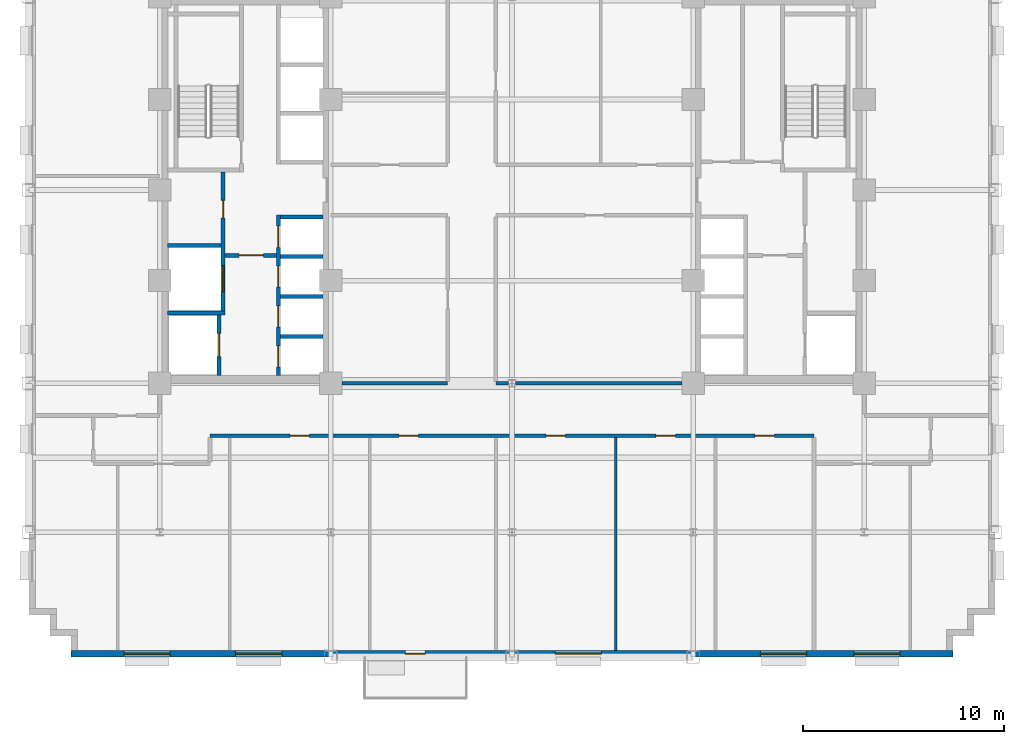
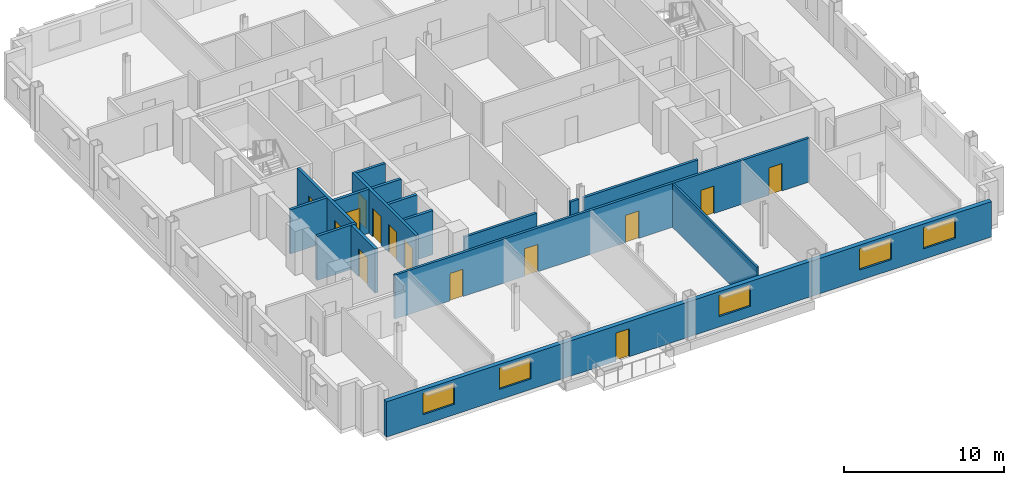
# One storey, part 6 of 14: 16 walls, 14 doors, 5 windows, 19 openings.
"""IFC4 building model written with IfcOpenShell, lengths in metres."""

from ifc_helpers import new_model, si_unit, direction, frame, frame_2d, origin, place, context, subcontext, project, spatial, rectangle, extrude, source, transform, mapped, material, layer, layer_set, type_object, type_shapes, element, fill, save


model = new_model("IFC4")

# Units and contexts
model_context = context("Model", 3, precision=1e-05, world=origin(), true_north=direction((0.0, 1.0)))
body_context = subcontext(model_context, "Body", "Model", "MODEL_VIEW")
ifc_project = project(units=[si_unit("LENGTHUNIT", "METRE"), si_unit("AREAUNIT", "SQUARE_METRE"), si_unit("VOLUMEUNIT", "CUBIC_METRE"), si_unit("PLANEANGLEUNIT", "RADIAN"), si_unit("MASSUNIT", "GRAM", prefix="KILO")], contexts=[model_context])

# Site, building, storey
site_placement = place(None, origin())
site = spatial("IfcSite", under=ifc_project, at=site_placement, CompositionType="ELEMENT")
building_placement = place(site_placement, origin())
building = spatial("IfcBuilding", under=site, at=building_placement, Name="Nuvemarco Arch Tower", CompositionType="ELEMENT")
storey_placement = place(building_placement, frame((0.0, 0.0, 105.60009765625)))
storey = spatial("IfcBuildingStorey", under=building, at=storey_placement, Name="L27", CompositionType="ELEMENT", Elevation=105.60009765625)

# Wall, openings, door, windows
ifc_material_1 = material(Name="Precast concrete C45/55", Category="concrete")
ifc_layer_1 = layer(ifc_material_1, 0.320068359375, Name="EW-MID-320")
ifc_layer_set_1 = layer_set([ifc_layer_1], Name="Precast concrete C45/55")
wall_type_1 = type_object("IfcWallType", Name="EW-MID-320", PredefinedType="STANDARD", material=ifc_layer_set_1)
wall_1_placement = place(storey_placement, frame((-21.89990234375, -23.0400390625, 0.0), z_axis=(0.0, 0.0, 1.0), x_axis=(1.0, 0.0, 0.0)))
wall_1 = element("IfcWall", 1, at=wall_1_placement, inside=storey, type_object=wall_type_1, Name="L27 exterior precast facade wall 1", PredefinedType="STANDARD", context=body_context, shape_type="SweptSolid", body=[
    extrude(rectangle(XDim=43.7998046875, YDim=0.320068359375, at=frame_2d((21.89990234375, 0.0))), origin(), (0.0, 0.0, 1.0), 2.704833984375),
])
opening_1_placement = place(wall_1_placement, frame((17.580078125, 0.0, 0.0), z_axis=(0.0, 0.0, 1.0), x_axis=(-1.0, 0.0, 0.0)))
opening_1 = element("IfcOpeningElement", 2, at=opening_1_placement, cuts=wall_1, Name="Opening ED-6", PredefinedType="OPENING", context=body_context, shape_type="SweptSolid", body=[
    extrude(rectangle(XDim=0.97998046875, YDim=2.14990234375, at=frame_2d((0.489990234375, 1.074951171875))), frame((0.0, 0.169921875, 0.0), z_axis=(0.0, -1.0, 0.0), x_axis=(1.0, 0.0, 0.0)), (0.0, 0.0, 1.0), 0.340087890625),
])
opening_2_placement = place(wall_1_placement, frame((2.622314453125, 0.0, 0.800048828125)))
opening_2 = element("IfcOpeningElement", 3, at=opening_2_placement, cuts=wall_1, Name="Opening WN-10", PredefinedType="OPENING", context=body_context, shape_type="SweptSolid", body=[
    extrude(rectangle(XDim=2.300048828125, YDim=1.6201171875, at=frame_2d((1.14990234375, 0.81005859375))), frame((0.0, 0.169921875, 0.0), z_axis=(0.0, -1.0, 0.0), x_axis=(1.0, 0.0, 0.0)), (0.0, 0.0, 1.0), 0.340087890625),
])
opening_3_placement = place(wall_1_placement, frame((8.166748046875, 0.0, 0.800048828125)))
opening_3 = element("IfcOpeningElement", 4, at=opening_3_placement, cuts=wall_1, Name="Opening WN-10", PredefinedType="OPENING", context=body_context, shape_type="SweptSolid", body=[
    extrude(rectangle(XDim=2.300048828125, YDim=1.6201171875, at=frame_2d((1.14990234375, 0.81005859375))), frame((0.0, 0.169921875, 0.0), z_axis=(0.0, -1.0, 0.0), x_axis=(1.0, 0.0, 0.0)), (0.0, 0.0, 1.0), 0.340087890625),
])
opening_4_placement = place(wall_1_placement, frame((24.04443359375, 0.0, 0.800048828125)))
opening_4 = element("IfcOpeningElement", 5, at=opening_4_placement, cuts=wall_1, Name="Opening WN-10", PredefinedType="OPENING", context=body_context, shape_type="SweptSolid", body=[
    extrude(rectangle(XDim=2.300048828125, YDim=1.6201171875, at=frame_2d((1.14990234375, 0.81005859375))), frame((0.0, 0.169921875, 0.0), z_axis=(0.0, -1.0, 0.0), x_axis=(1.0, 0.0, 0.0)), (0.0, 0.0, 1.0), 0.340087890625),
])
opening_5_placement = place(wall_1_placement, frame((34.2333984375, 0.0, 0.800048828125)))
opening_5 = element("IfcOpeningElement", 6, at=opening_5_placement, cuts=wall_1, Name="Opening WN-10", PredefinedType="OPENING", context=body_context, shape_type="SweptSolid", body=[
    extrude(rectangle(XDim=2.300048828125, YDim=1.6201171875, at=frame_2d((1.14990234375, 0.81005859375))), frame((0.0, 0.169921875, 0.0), z_axis=(0.0, -1.0, 0.0), x_axis=(1.0, 0.0, 0.0)), (0.0, 0.0, 1.0), 0.340087890625),
])
opening_6_placement = place(wall_1_placement, frame((38.877685546875, 0.0, 0.800048828125)))
opening_6 = element("IfcOpeningElement", 7, at=opening_6_placement, cuts=wall_1, Name="Opening WN-10", PredefinedType="OPENING", context=body_context, shape_type="SweptSolid", body=[
    extrude(rectangle(XDim=2.300048828125, YDim=1.6201171875, at=frame_2d((1.14990234375, 0.81005859375))), frame((0.0, 0.169921875, 0.0), z_axis=(0.0, -1.0, 0.0), x_axis=(1.0, 0.0, 0.0)), (0.0, 0.0, 1.0), 0.340087890625),
])
ifc_material_2 = material(Name="Anodised bronze and laminated glass", Category="glass")
door_type_1 = type_object("IfcDoorType", Name="DR-EXT-BALC", OperationType="NOTDEFINED", PredefinedType="DOOR", material=ifc_material_2)
shared_shape_1 = source(origin(), body_context, "Body", "SweptSolid", [
    extrude(rectangle(XDim=0.97998046875, YDim=2.14990234375, at=frame_2d((0.489990234375, 1.074951171875))), frame((0.0, 0.02490234375, 0.0), z_axis=(0.0, -1.0, 0.0), x_axis=(1.0, 0.0, 0.0)), (0.0, 0.0, 1.0), 0.050048828125),
])
type_shapes(door_type_1, [shared_shape_1])
door_1_placement = place(opening_1_placement, origin())
door_1 = element("IfcDoor", 8, at=door_1_placement, inside=storey, type_object=door_type_1, Name="L27 tree balcony access door", OperationType="SINGLE_SWING_RIGHT", OverallHeight=2.14990234375, OverallWidth=0.97998046875, PredefinedType="DOOR", context=body_context, shape_type="MappedRepresentation", body=[
    mapped(shared_shape_1, transform((0.0, 0.0, 0.0), scale=1.0)),
])
fill(opening_1, door_1)
ifc_material_3 = material(Name="Insulated solar-control glass", Category="glass")
window_type = type_object("IfcWindowType", Name="WN-STEP-2300x1700", PartitioningType="DOUBLE_PANEL_VERTICAL", PredefinedType="WINDOW", material=ifc_material_3)
shared_shape_2 = source(origin(), body_context, "Body", "SweptSolid", [
    extrude(rectangle(XDim=2.300048828125, YDim=1.6201171875, at=frame_2d((1.14990234375, 0.81005859375))), frame((0.0, 0.030029296875, 0.0), z_axis=(0.0, -1.0, 0.0), x_axis=(1.0, 0.0, 0.0)), (0.0, 0.0, 1.0), 0.06005859375),
])
type_shapes(window_type, [shared_shape_2])
window_1_placement = place(opening_2_placement, origin())
window_1 = element("IfcWindow", 9, at=window_1_placement, inside=storey, type_object=window_type, Name="L27 punched facade window 1", OverallHeight=1.6201171875, OverallWidth=2.300048828125, PartitioningType="SINGLE_PANEL", PredefinedType="WINDOW", context=body_context, shape_type="MappedRepresentation", body=[
    mapped(shared_shape_2, transform((0.0, 0.0, 0.0), scale=1.0)),
])
fill(opening_2, window_1)
window_2_placement = place(opening_3_placement, origin())
window_2 = element("IfcWindow", 10, at=window_2_placement, inside=storey, type_object=window_type, Name="L27 punched facade window 2", OverallHeight=1.6201171875, OverallWidth=2.300048828125, PartitioningType="SINGLE_PANEL", PredefinedType="WINDOW", context=body_context, shape_type="MappedRepresentation", body=[
    mapped(shared_shape_2, transform((0.0, 0.0, 0.0), scale=1.0)),
])
fill(opening_3, window_2)
window_3_placement = place(opening_4_placement, origin())
window_3 = element("IfcWindow", 11, at=window_3_placement, inside=storey, type_object=window_type, Name="L27 punched facade window 6", OverallHeight=1.6201171875, OverallWidth=2.300048828125, PartitioningType="SINGLE_PANEL", PredefinedType="WINDOW", context=body_context, shape_type="MappedRepresentation", body=[
    mapped(shared_shape_2, transform((0.0, 0.0, 0.0), scale=1.0)),
])
fill(opening_4, window_3)
window_4_placement = place(opening_5_placement, origin())
window_4 = element("IfcWindow", 12, at=window_4_placement, inside=storey, type_object=window_type, Name="L27 punched facade window 8", OverallHeight=1.6201171875, OverallWidth=2.300048828125, PartitioningType="SINGLE_PANEL", PredefinedType="WINDOW", context=body_context, shape_type="MappedRepresentation", body=[
    mapped(shared_shape_2, transform((0.0, 0.0, 0.0), scale=1.0)),
])
fill(opening_5, window_4)
window_5_placement = place(opening_6_placement, origin())
window_5 = element("IfcWindow", 13, at=window_5_placement, inside=storey, type_object=window_type, Name="L27 punched facade window 9", OverallHeight=1.6201171875, OverallWidth=2.300048828125, PartitioningType="SINGLE_PANEL", PredefinedType="WINDOW", context=body_context, shape_type="MappedRepresentation", body=[
    mapped(shared_shape_2, transform((0.0, 0.0, 0.0), scale=1.0)),
])
fill(opening_6, window_5)

# Wall, openings, doors
ifc_material_4 = material(Name="Fire-rated gypsum drywall partition")
ifc_layer_2 = layer(ifc_material_4, 0.179931640625, Name="WL-CORR-180")
ifc_layer_set_2 = layer_set([ifc_layer_2], Name="Fire-rated gypsum drywall partition")
wall_type_2 = type_object("IfcWallType", Name="WL-CORR-180", PredefinedType="PARTITIONING", material=ifc_layer_set_2)
wall_2_placement = place(storey_placement, frame((-15.0, -12.199951171875, 0.0), z_axis=(0.0, 0.0, 1.0), x_axis=(1.0, 0.0, 0.0)))
wall_2 = element("IfcWall", 14, at=wall_2_placement, inside=storey, type_object=wall_type_2, Name="L27 interior wall IW-L27-003", PredefinedType="PARTITIONING", context=body_context, shape_type="SweptSolid", body=[
    extrude(rectangle(XDim=30.0, YDim=0.179931640625, at=frame_2d((15.0, 0.0))), origin(), (0.0, 0.0, 1.0), 3.35986328125),
])
opening_7_placement = place(wall_2_placement, frame((3.97998046875, 0.0, 0.0)))
opening_7 = element("IfcOpeningElement", 15, at=opening_7_placement, cuts=wall_2, Name="Opening FD-5", PredefinedType="OPENING", context=body_context, shape_type="SweptSolid", body=[
    extrude(rectangle(XDim=0.9599609375, YDim=2.10009765625, at=frame_2d((0.47998046875, 1.050048828125))), frame((0.0, 0.099853515625, 0.0), z_axis=(0.0, -1.0, 0.0), x_axis=(1.0, 0.0, 0.0)), (0.0, 0.0, 1.0), 0.199951171875),
])
opening_8_placement = place(wall_2_placement, frame((16.695068359375, 0.0, 0.0)))
opening_8 = element("IfcOpeningElement", 16, at=opening_8_placement, cuts=wall_2, Name="Opening FD-5", PredefinedType="OPENING", context=body_context, shape_type="SweptSolid", body=[
    extrude(rectangle(XDim=0.9599609375, YDim=2.10009765625, at=frame_2d((0.47998046875, 1.050048828125))), frame((0.0, 0.099853515625, 0.0), z_axis=(0.0, -1.0, 0.0), x_axis=(1.0, 0.0, 0.0)), (0.0, 0.0, 1.0), 0.199951171875),
])
opening_9_placement = place(wall_2_placement, frame((22.14990234375, 0.0, 0.0)))
opening_9 = element("IfcOpeningElement", 17, at=opening_9_placement, cuts=wall_2, Name="Opening FD-5", PredefinedType="OPENING", context=body_context, shape_type="SweptSolid", body=[
    extrude(rectangle(XDim=0.9599609375, YDim=2.10009765625, at=frame_2d((0.47998046875, 1.050048828125))), frame((0.0, 0.099853515625, 0.0), z_axis=(0.0, -1.0, 0.0), x_axis=(1.0, 0.0, 0.0)), (0.0, 0.0, 1.0), 0.199951171875),
])
opening_10_placement = place(wall_2_placement, frame((27.074951171875, 0.0, 0.0)))
opening_10 = element("IfcOpeningElement", 18, at=opening_10_placement, cuts=wall_2, Name="Opening FD-5", PredefinedType="OPENING", context=body_context, shape_type="SweptSolid", body=[
    extrude(rectangle(XDim=0.9599609375, YDim=2.10009765625, at=frame_2d((0.47998046875, 1.050048828125))), frame((0.0, 0.099853515625, 0.0), z_axis=(0.0, -1.0, 0.0), x_axis=(1.0, 0.0, 0.0)), (0.0, 0.0, 1.0), 0.199951171875),
])
opening_11_placement = place(wall_2_placement, frame((9.389892578125, 0.0, 0.0)))
opening_11 = element("IfcOpeningElement", 19, at=opening_11_placement, cuts=wall_2, Name="Opening FD-5", PredefinedType="OPENING", context=body_context, shape_type="SweptSolid", body=[
    extrude(rectangle(XDim=0.9599609375, YDim=2.10009765625, at=frame_2d((0.47998046875, 1.050048828125))), frame((0.0, 0.099853515625, 0.0), z_axis=(0.0, -1.0, 0.0), x_axis=(1.0, 0.0, 0.0)), (0.0, 0.0, 1.0), 0.199951171875),
])
ifc_material_5 = material(Name="Timber fire door", Category="wood")
door_type_2 = type_object("IfcDoorType", Name="DR-CORR-FD", OperationType="NOTDEFINED", PredefinedType="DOOR", material=ifc_material_5)
shared_shape_3 = source(origin(), body_context, "Body", "SweptSolid", [
    extrude(rectangle(XDim=0.9599609375, YDim=2.10009765625, at=frame_2d((0.47998046875, 1.050048828125))), frame((0.0, 0.02490234375, 0.0), z_axis=(0.0, -1.0, 0.0), x_axis=(1.0, 0.0, 0.0)), (0.0, 0.0, 1.0), 0.050048828125),
])
type_shapes(door_type_2, [shared_shape_3])
door_2_placement = place(opening_7_placement, origin())
door_2 = element("IfcDoor", 20, at=door_2_placement, inside=storey, type_object=door_type_2, Name="L27 door DR-L27-S_3", OperationType="SINGLE_SWING_RIGHT", OverallHeight=2.10009765625, OverallWidth=0.9599609375, PredefinedType="DOOR", context=body_context, shape_type="MappedRepresentation", body=[
    mapped(shared_shape_3, transform((0.0, 0.0, 0.0), scale=1.0)),
])
fill(opening_7, door_2)
door_3_placement = place(opening_8_placement, origin())
door_3 = element("IfcDoor", 21, at=door_3_placement, inside=storey, type_object=door_type_2, Name="L27 door DR-L27-S_5", OperationType="SINGLE_SWING_LEFT", OverallHeight=2.10009765625, OverallWidth=0.9599609375, PredefinedType="DOOR", context=body_context, shape_type="MappedRepresentation", body=[
    mapped(shared_shape_3, transform((0.0, 0.0, 0.0), scale=1.0)),
])
fill(opening_8, door_3)
door_4_placement = place(opening_9_placement, origin())
door_4 = element("IfcDoor", 22, at=door_4_placement, inside=storey, type_object=door_type_2, Name="L27 door DR-L27-S_6", OperationType="SINGLE_SWING_LEFT", OverallHeight=2.10009765625, OverallWidth=0.9599609375, PredefinedType="DOOR", context=body_context, shape_type="MappedRepresentation", body=[
    mapped(shared_shape_3, transform((0.0, 0.0, 0.0), scale=1.0)),
])
fill(opening_9, door_4)
door_5_placement = place(opening_10_placement, origin())
door_5 = element("IfcDoor", 23, at=door_5_placement, inside=storey, type_object=door_type_2, Name="L27 door DR-L27-S_7", OperationType="SINGLE_SWING_RIGHT", OverallHeight=2.10009765625, OverallWidth=0.9599609375, PredefinedType="DOOR", context=body_context, shape_type="MappedRepresentation", body=[
    mapped(shared_shape_3, transform((0.0, 0.0, 0.0), scale=1.0)),
])
fill(opening_10, door_5)
door_6_placement = place(opening_11_placement, origin())
door_6 = element("IfcDoor", 24, at=door_6_placement, inside=storey, type_object=door_type_2, Name="L27 door DR-L27-S_4", OperationType="SINGLE_SWING_RIGHT", OverallHeight=2.10009765625, OverallWidth=0.9599609375, PredefinedType="DOOR", context=body_context, shape_type="MappedRepresentation", body=[
    mapped(shared_shape_3, transform((0.0, 0.0, 0.0), scale=1.0)),
])
fill(opening_11, door_6)

# Walls
wall_3_placement = place(storey_placement, frame((-8.4541015625, -9.60009765625, 0.0), z_axis=(0.0, 0.0, 1.0), x_axis=(1.0, 0.0, 0.0)))
element("IfcWall", 25, at=wall_3_placement, inside=storey, type_object=wall_type_2, Name="L27 interior wall IW-L27-006", PredefinedType="PARTITIONING", context=body_context, shape_type="SweptSolid", body=[
    extrude(rectangle(XDim=5.254150390625, YDim=0.179931640625, at=frame_2d((2.626953125, 0.0))), origin(), (0.0, 0.0, 1.0), 2.40478515625),
])
wall_4_placement = place(storey_placement, frame((-0.800048828125, -9.60009765625, 0.0), z_axis=(0.0, 0.0, 1.0), x_axis=(1.0, 0.0, 0.0)))
element("IfcWall", 26, at=wall_4_placement, inside=storey, type_object=wall_type_2, Name="L27 interior wall IW-L27-007", PredefinedType="PARTITIONING", context=body_context, shape_type="SweptSolid", body=[
    extrude(rectangle(XDim=0.6240234375, YDim=0.179931640625, at=frame_2d((0.31201171875, 0.0))), origin(), (0.0, 0.0, 1.0), 2.40478515625),
])
wall_5_placement = place(storey_placement, frame((0.176025390625, -9.60009765625, 0.0), z_axis=(0.0, 0.0, 1.0), x_axis=(1.0, 0.0, 0.0)))
element("IfcWall", 27, at=wall_5_placement, inside=storey, type_object=wall_type_2, Name="L27 interior wall IW-L27-008", PredefinedType="PARTITIONING", context=body_context, shape_type="SweptSolid", body=[
    extrude(rectangle(XDim=8.278076171875, YDim=0.179931640625, at=frame_2d((4.13916015625, 0.0))), origin(), (0.0, 0.0, 1.0), 2.40478515625),
])
ifc_material_6 = material(Name="Gypsum plasterboard partition")
ifc_layer_3 = layer(ifc_material_6, 0.139892578125, Name="WL-ROOM-140")
ifc_layer_set_3 = layer_set([ifc_layer_3], Name="Gypsum plasterboard partition")
wall_type_3 = type_object("IfcWallType", Name="WL-ROOM-140", PredefinedType="PARTITIONING", material=ifc_layer_set_3)
wall_6_placement = place(storey_placement, frame((5.14990234375, -22.8798828125, 0.0), z_axis=(0.0, 0.0, 1.0), x_axis=(0.0, 1.0, 0.0)))
element("IfcWall", 28, at=wall_6_placement, inside=storey, type_object=wall_type_3, Name="L27 interior wall IW-L27-045", PredefinedType="PARTITIONING", context=body_context, shape_type="SweptSolid", body=[
    extrude(rectangle(XDim=10.593994140625, YDim=0.139892578125, at=frame_2d((5.296875, 0.0))), origin(), (0.0, 0.0, 1.0), 3.35986328125),
])

# Wall, opening, door
ifc_material_7 = material(Name="Concrete C50/60", Category="concrete")
ifc_layer_4 = layer(ifc_material_7, 0.199951171875, Name="WL-SHAFT-220")
ifc_layer_set_4 = layer_set([ifc_layer_4], Name="Concrete C50/60")
wall_type_4 = type_object("IfcWallType", Name="WL-SHAFT-220", PredefinedType="SHEAR", material=ifc_layer_set_4)
wall_7_placement = place(storey_placement, frame((-14.550048828125, -9.205078125, 0.0), z_axis=(0.0, 0.0, 1.0), x_axis=(0.0, 1.0, 0.0)))
wall_7 = element("IfcWall", 29, at=wall_7_placement, inside=storey, type_object=wall_type_4, Name="L27 structural shaft wall SW-L27-W-SHE", PredefinedType="SHEAR", context=body_context, shape_type="SweptSolid", body=[
    extrude(rectangle(XDim=3.010009765625, YDim=0.199951171875, at=frame_2d((1.5048828125, 0.0))), origin(), (0.0, 0.0, 1.0), 3.369873046875),
])
opening_12_placement = place(wall_7_placement, frame((0.929931640625, 0.0, 0.0)))
opening_12 = element("IfcOpeningElement", 30, at=opening_12_placement, cuts=wall_7, Name="Opening LD-2", PredefinedType="OPENING", context=body_context, shape_type="SweptSolid", body=[
    extrude(rectangle(XDim=1.14990234375, YDim=2.14990234375, at=frame_2d((0.574951171875, 1.074951171875))), frame((0.0, 0.10986328125, 0.0), z_axis=(0.0, -1.0, 0.0), x_axis=(1.0, 0.0, 0.0)), (0.0, 0.0, 1.0), 0.219970703125),
])
ifc_material_8 = material(Name="Stainless steel lift door", Category="steel")
door_type_3 = type_object("IfcDoorType", Name="DR-LIFT-FIRE", OperationType="DOUBLE_DOOR_SLIDING", PredefinedType="DOOR", material=ifc_material_8)
shared_shape_4 = source(origin(), body_context, "Body", "SweptSolid", [
    extrude(rectangle(XDim=1.14990234375, YDim=2.14990234375, at=frame_2d((0.574951171875, 1.074951171875))), frame((0.0, 0.02490234375, 0.0), z_axis=(0.0, -1.0, 0.0), x_axis=(1.0, 0.0, 0.0)), (0.0, 0.0, 1.0), 0.050048828125),
])
type_shapes(door_type_3, [shared_shape_4])
door_7_placement = place(opening_12_placement, origin())
door_7 = element("IfcDoor", 31, at=door_7_placement, inside=storey, type_object=door_type_3, Name="L27 Lift landing sliding door FFL-1", OperationType="DOUBLE_DOOR_SLIDING", OverallHeight=2.14990234375, OverallWidth=1.14990234375, PredefinedType="DOOR", context=body_context, shape_type="MappedRepresentation", body=[
    mapped(shared_shape_4, transform((0.0, 0.0, 0.0), scale=1.0)),
])
fill(opening_12, door_7)

# Wall, openings, doors
wall_8_placement = place(storey_placement, frame((-14.35009765625, -6.199951171875, 0.0), z_axis=(0.0, 0.0, 1.0), x_axis=(0.0, 1.0, 0.0)))
wall_8 = element("IfcWall", 32, at=wall_8_placement, inside=storey, type_object=wall_type_4, Name="L27 structural shaft wall SW-L27-W-SVE", PredefinedType="SHEAR", context=body_context, shape_type="SweptSolid", body=[
    extrude(rectangle(XDim=7.10498046875, YDim=0.199951171875, at=frame_2d((3.552490234375, 0.0))), origin(), (0.0, 0.0, 1.0), 3.369873046875),
])
opening_13_placement = place(wall_8_placement, frame((5.68994140625, 0.0, 0.0), z_axis=(0.0, 0.0, 1.0), x_axis=(-1.0, 0.0, 0.0)))
opening_13 = element("IfcOpeningElement", 33, at=opening_13_placement, cuts=wall_8, Name="Opening FD-4", PredefinedType="OPENING", context=body_context, shape_type="SweptSolid", body=[
    extrude(rectangle(XDim=0.8798828125, YDim=2.10009765625, at=frame_2d((0.43994140625, 1.050048828125))), frame((0.0, 0.10986328125, 0.0), z_axis=(0.0, -1.0, 0.0), x_axis=(1.0, 0.0, 0.0)), (0.0, 0.0, 1.0), 0.219970703125),
])
opening_14_placement = place(wall_8_placement, frame((1.14990234375, 0.0, 0.0)))
opening_14 = element("IfcOpeningElement", 34, at=opening_14_placement, cuts=wall_8, Name="Opening LD-3", PredefinedType="OPENING", context=body_context, shape_type="SweptSolid", body=[
    extrude(rectangle(XDim=1.300048828125, YDim=2.199951171875, at=frame_2d((0.64990234375, 1.10009765625))), frame((0.0, 0.10986328125, 0.0), z_axis=(0.0, -1.0, 0.0), x_axis=(1.0, 0.0, 0.0)), (0.0, 0.0, 1.0), 0.219970703125),
])
ifc_material_9 = material(Name="Anodised steel fire door", Category="steel")
door_type_4 = type_object("IfcDoorType", Name="DR-RISER-FD", OperationType="NOTDEFINED", PredefinedType="DOOR", material=ifc_material_9)
shared_shape_5 = source(origin(), body_context, "Body", "SweptSolid", [
    extrude(rectangle(XDim=0.8798828125, YDim=2.10009765625, at=frame_2d((0.43994140625, 1.050048828125))), frame((0.0, 0.02490234375, 0.0), z_axis=(0.0, -1.0, 0.0), x_axis=(1.0, 0.0, 0.0)), (0.0, 0.0, 1.0), 0.050048828125),
])
type_shapes(door_type_4, [shared_shape_5])
door_8_placement = place(opening_13_placement, origin())
door_8 = element("IfcDoor", 35, at=door_8_placement, inside=storey, type_object=door_type_4, Name="L27 door FD-L27-WRIS", OperationType="SINGLE_SWING_RIGHT", OverallHeight=2.10009765625, OverallWidth=0.8798828125, PredefinedType="DOOR", context=body_context, shape_type="MappedRepresentation", body=[
    mapped(shared_shape_5, transform((0.0, 0.0, 0.0), scale=1.0)),
])
fill(opening_13, door_8)
door_type_5 = type_object("IfcDoorType", Name="DR-LIFT-SERV", OperationType="DOUBLE_DOOR_SLIDING", PredefinedType="DOOR", material=ifc_material_8)
shared_shape_6 = source(origin(), body_context, "Body", "SweptSolid", [
    extrude(rectangle(XDim=1.300048828125, YDim=2.199951171875, at=frame_2d((0.64990234375, 1.10009765625))), frame((0.0, 0.02490234375, 0.0), z_axis=(0.0, -1.0, 0.0), x_axis=(1.0, 0.0, 0.0)), (0.0, 0.0, 1.0), 0.050048828125),
])
type_shapes(door_type_5, [shared_shape_6])
door_9_placement = place(opening_14_placement, origin())
door_9 = element("IfcDoor", 36, at=door_9_placement, inside=storey, type_object=door_type_5, Name="L27 Lift landing sliding door SVL-1", OperationType="DOUBLE_DOOR_SLIDING", OverallHeight=2.199951171875, OverallWidth=1.300048828125, PredefinedType="DOOR", context=body_context, shape_type="MappedRepresentation", body=[
    mapped(shared_shape_6, transform((0.0, 0.0, 0.0), scale=1.0)),
])
fill(opening_14, door_9)

# Walls
wall_9_placement = place(storey_placement, frame((-17.10498046875, -6.10009765625, 0.0), z_axis=(0.0, 0.0, 1.0), x_axis=(1.0, 0.0, 0.0)))
element("IfcWall", 37, at=wall_9_placement, inside=storey, type_object=wall_type_4, Name="L27 structural shaft wall SW-L27-W-SH1", PredefinedType="SHEAR", context=body_context, shape_type="SweptSolid", body=[
    extrude(rectangle(XDim=2.85498046875, YDim=0.199951171875, at=frame_2d((1.427490234375, 0.0))), origin(), (0.0, 0.0, 1.0), 3.369873046875),
])
wall_10_placement = place(storey_placement, frame((-17.10498046875, -2.75, 0.0), z_axis=(0.0, 0.0, 1.0), x_axis=(1.0, 0.0, 0.0)))
element("IfcWall", 38, at=wall_10_placement, inside=storey, type_object=wall_type_4, Name="L27 structural shaft wall SW-L27-W-SH2", PredefinedType="SHEAR", context=body_context, shape_type="SweptSolid", body=[
    extrude(rectangle(XDim=2.659912109375, YDim=0.199951171875, at=frame_2d((1.330078125, 0.0))), origin(), (0.0, 0.0, 1.0), 3.369873046875),
])

# Wall, openings, doors
wall_11_placement = place(storey_placement, frame((-11.60009765625, -9.205078125, 0.0), z_axis=(0.0, 0.0, 1.0), x_axis=(0.0, 1.0, 0.0)))
wall_11 = element("IfcWall", 39, at=wall_11_placement, inside=storey, type_object=wall_type_4, Name="L27 structural shaft wall SW-L27-W-PLW", PredefinedType="SHEAR", context=body_context, shape_type="SweptSolid", body=[
    extrude(rectangle(XDim=7.97509765625, YDim=0.199951171875, at=frame_2d((3.987548828125, 0.0))), origin(), (0.0, 0.0, 1.0), 3.369873046875),
])
opening_15_placement = place(wall_11_placement, frame((0.419921875, 0.0, 0.0)))
opening_15 = element("IfcOpeningElement", 40, at=opening_15_placement, cuts=wall_11, Name="Opening LD-1", PredefinedType="OPENING", context=body_context, shape_type="SweptSolid", body=[
    extrude(rectangle(XDim=1.050048828125, YDim=2.14990234375, at=frame_2d((0.52490234375, 1.074951171875))), frame((0.0, 0.10986328125, 0.0), z_axis=(0.0, -1.0, 0.0), x_axis=(1.0, 0.0, 0.0)), (0.0, 0.0, 1.0), 0.219970703125),
])
opening_16_placement = place(wall_11_placement, frame((2.39990234375, 0.0, 0.0)))
opening_16 = element("IfcOpeningElement", 41, at=opening_16_placement, cuts=wall_11, Name="Opening LD-1", PredefinedType="OPENING", context=body_context, shape_type="SweptSolid", body=[
    extrude(rectangle(XDim=1.050048828125, YDim=2.14990234375, at=frame_2d((0.52490234375, 1.074951171875))), frame((0.0, 0.10986328125, 0.0), z_axis=(0.0, -1.0, 0.0), x_axis=(1.0, 0.0, 0.0)), (0.0, 0.0, 1.0), 0.219970703125),
])
opening_17_placement = place(wall_11_placement, frame((4.3798828125, 0.0, 0.0)))
opening_17 = element("IfcOpeningElement", 42, at=opening_17_placement, cuts=wall_11, Name="Opening LD-1", PredefinedType="OPENING", context=body_context, shape_type="SweptSolid", body=[
    extrude(rectangle(XDim=1.050048828125, YDim=2.14990234375, at=frame_2d((0.52490234375, 1.074951171875))), frame((0.0, 0.10986328125, 0.0), z_axis=(0.0, -1.0, 0.0), x_axis=(1.0, 0.0, 0.0)), (0.0, 0.0, 1.0), 0.219970703125),
])
opening_18_placement = place(wall_11_placement, frame((6.360107421875, 0.0, 0.0)))
opening_18 = element("IfcOpeningElement", 43, at=opening_18_placement, cuts=wall_11, Name="Opening LD-1", PredefinedType="OPENING", context=body_context, shape_type="SweptSolid", body=[
    extrude(rectangle(XDim=1.050048828125, YDim=2.14990234375, at=frame_2d((0.52490234375, 1.074951171875))), frame((0.0, 0.10986328125, 0.0), z_axis=(0.0, -1.0, 0.0), x_axis=(1.0, 0.0, 0.0)), (0.0, 0.0, 1.0), 0.219970703125),
])
door_type_6 = type_object("IfcDoorType", Name="DR-LIFT-PASS", OperationType="DOUBLE_DOOR_SLIDING", PredefinedType="DOOR", material=ifc_material_8)
shared_shape_7 = source(origin(), body_context, "Body", "SweptSolid", [
    extrude(rectangle(XDim=1.050048828125, YDim=2.14990234375, at=frame_2d((0.52490234375, 1.074951171875))), frame((0.0, 0.02490234375, 0.0), z_axis=(0.0, -1.0, 0.0), x_axis=(1.0, 0.0, 0.0)), (0.0, 0.0, 1.0), 0.050048828125),
])
type_shapes(door_type_6, [shared_shape_7])
door_10_placement = place(opening_15_placement, origin())
door_10 = element("IfcDoor", 44, at=door_10_placement, inside=storey, type_object=door_type_6, Name="L27 Lift landing sliding door PL-1", OperationType="DOUBLE_DOOR_SLIDING", OverallHeight=2.14990234375, OverallWidth=1.050048828125, PredefinedType="DOOR", context=body_context, shape_type="MappedRepresentation", body=[
    mapped(shared_shape_7, transform((0.0, 0.0, 0.0), scale=1.0)),
])
fill(opening_15, door_10)
door_11_placement = place(opening_16_placement, origin())
door_11 = element("IfcDoor", 45, at=door_11_placement, inside=storey, type_object=door_type_6, Name="L27 Lift landing sliding door PL-2", OperationType="DOUBLE_DOOR_SLIDING", OverallHeight=2.14990234375, OverallWidth=1.050048828125, PredefinedType="DOOR", context=body_context, shape_type="MappedRepresentation", body=[
    mapped(shared_shape_7, transform((0.0, 0.0, 0.0), scale=1.0)),
])
fill(opening_16, door_11)
door_12_placement = place(opening_17_placement, origin())
door_12 = element("IfcDoor", 46, at=door_12_placement, inside=storey, type_object=door_type_6, Name="L27 Lift landing sliding door PL-3", OperationType="DOUBLE_DOOR_SLIDING", OverallHeight=2.14990234375, OverallWidth=1.050048828125, PredefinedType="DOOR", context=body_context, shape_type="MappedRepresentation", body=[
    mapped(shared_shape_7, transform((0.0, 0.0, 0.0), scale=1.0)),
])
fill(opening_17, door_12)
door_13_placement = place(opening_18_placement, origin())
door_13 = element("IfcDoor", 47, at=door_13_placement, inside=storey, type_object=door_type_6, Name="L27 Lift landing sliding door PL-4", OperationType="DOUBLE_DOOR_SLIDING", OverallHeight=2.14990234375, OverallWidth=1.050048828125, PredefinedType="DOOR", context=body_context, shape_type="MappedRepresentation", body=[
    mapped(shared_shape_7, transform((0.0, 0.0, 0.0), scale=1.0)),
])
fill(opening_18, door_13)

# Wall, opening, door
wall_12_placement = place(storey_placement, frame((-14.2548828125, -3.25, 0.0), z_axis=(0.0, 0.0, 1.0), x_axis=(1.0, 0.0, 0.0)))
wall_12 = element("IfcWall", 48, at=wall_12_placement, inside=storey, type_object=wall_type_4, Name="L27 structural shaft wall SW-L27-W-FFN", PredefinedType="SHEAR", context=body_context, shape_type="SweptSolid", body=[
    extrude(rectangle(XDim=2.559814453125, YDim=0.199951171875, at=frame_2d((1.27978515625, 0.0))), origin(), (0.0, 0.0, 1.0), 3.369873046875),
])
opening_19_placement = place(wall_12_placement, frame((0.705078125, 0.0, 0.0)))
opening_19 = element("IfcOpeningElement", 49, at=opening_19_placement, cuts=wall_12, Name="Opening FD-2", PredefinedType="OPENING", context=body_context, shape_type="SweptSolid", body=[
    extrude(rectangle(XDim=1.199951171875, YDim=2.14990234375, at=frame_2d((0.60009765625, 1.074951171875))), frame((0.0, 0.10986328125, 0.0), z_axis=(0.0, -1.0, 0.0), x_axis=(1.0, 0.0, 0.0)), (0.0, 0.0, 1.0), 0.219970703125),
])
door_type_7 = type_object("IfcDoorType", Name="DR-FFLOB-FD", OperationType="NOTDEFINED", PredefinedType="DOOR", material=ifc_material_9)
shared_shape_8 = source(origin(), body_context, "Body", "SweptSolid", [
    extrude(rectangle(XDim=1.199951171875, YDim=2.14990234375, at=frame_2d((0.60009765625, 1.074951171875))), frame((0.0, 0.02490234375, 0.0), z_axis=(0.0, -1.0, 0.0), x_axis=(1.0, 0.0, 0.0)), (0.0, 0.0, 1.0), 0.050048828125),
])
type_shapes(door_type_7, [shared_shape_8])
door_14_placement = place(opening_19_placement, origin())
door_14 = element("IfcDoor", 50, at=door_14_placement, inside=storey, type_object=door_type_7, Name="L27 door FD-L27-WFF1", OperationType="SINGLE_SWING_RIGHT", OverallHeight=2.14990234375, OverallWidth=1.199951171875, PredefinedType="DOOR", context=body_context, shape_type="MappedRepresentation", body=[
    mapped(shared_shape_8, transform((0.0, 0.0, 0.0), scale=1.0)),
])
fill(opening_19, door_14)

# Walls
for number, where, z_axis, x_axis, name in (
    (51, (-11.5048828125, -7.27001953125, 0.0), (0.0, 0.0, 1.0), (1.0, 0.0, 0.0), "L27 structural shaft wall SW-L27-W-PLD1"),
    (52, (-11.5048828125, -5.2900390625, 0.0), (0.0, 0.0, 1.0), (1.0, 0.0, 0.0), "L27 structural shaft wall SW-L27-W-PLD2"),
    (53, (-11.5048828125, -3.31005859375, 0.0), (0.0, 0.0, 1.0), (1.0, 0.0, 0.0), "L27 structural shaft wall SW-L27-W-PLD3"),
    (54, (-11.5048828125, -1.330078125, 0.0), (0.0, 0.0, 1.0), (1.0, 0.0, 0.0), "L27 structural shaft wall SW-L27-W-PLD4"),
):
    element("IfcWall", number, at=place(storey_placement, frame(where, z_axis=z_axis, x_axis=x_axis)), inside=storey, type_object=wall_type_4, Name=name, PredefinedType="SHEAR", context=body_context, shape_type="SweptSolid", body=[
        extrude(rectangle(XDim=2.10986328125, YDim=0.199951171875, at=frame_2d((1.054931640625, 0.0))), origin(), (0.0, 0.0, 1.0), 3.369873046875),
    ])

save(model, "model.ifc")
